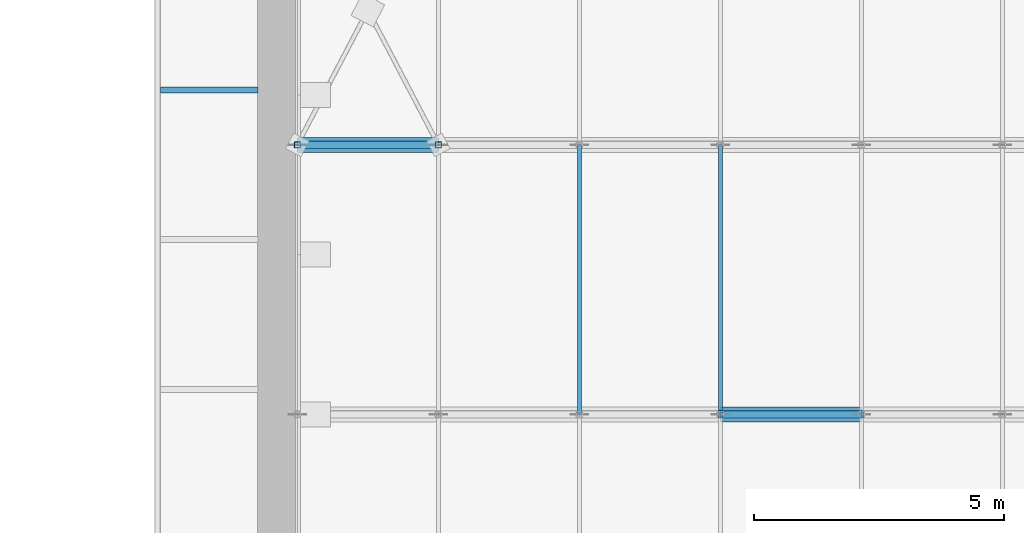
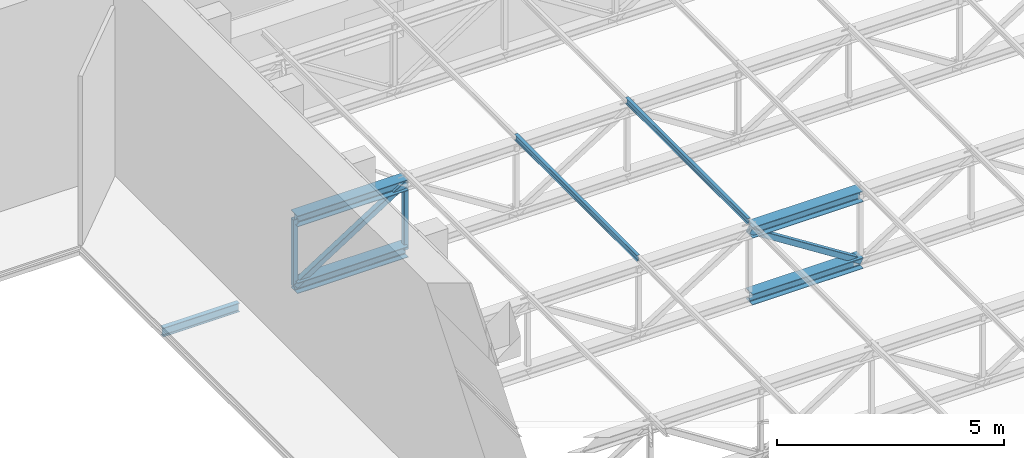
# One storey, part 40 of 132: 11 members.
"""IFC4 building model written with IfcOpenShell, lengths in metres."""

from ifc_helpers import new_model, si_unit, direction, frame, origin, origin_2d, place, context, subcontext, project, spatial, hollow_rectangle, i_section, extrude, material, material_profile, profile_set, type_object, element, save


model = new_model("IFC4")

# Units and contexts
model_context = context("Model", 3, precision=1e-05, world=origin(), true_north=direction((0.0, 1.0)))
body_context = subcontext(model_context, "Body", "Model", "MODEL_VIEW")
ifc_project = project(units=[si_unit("LENGTHUNIT", "METRE"), si_unit("AREAUNIT", "SQUARE_METRE"), si_unit("VOLUMEUNIT", "CUBIC_METRE"), si_unit("PLANEANGLEUNIT", "RADIAN"), si_unit("MASSUNIT", "GRAM", prefix="KILO")], contexts=[model_context])

# Site, building, storey
site_placement = place(None, origin())
site = spatial("IfcSite", under=ifc_project, at=site_placement, CompositionType="ELEMENT")
building_placement = place(site_placement, origin())
building = spatial("IfcBuilding", under=site, at=building_placement, Name="Lunette Opera House", CompositionType="ELEMENT")
storey_placement = place(building_placement, frame((0.0, 0.0, 17.0)))
storey = spatial("IfcBuildingStorey", under=building, at=storey_placement, Name="L03", CompositionType="ELEMENT", Elevation=17.0)

# Members
ifc_material_1 = material(Name="Steel S355", Category="steel")
ifc_material_profile_1 = material_profile(ifc_material_1, i_section(OverallWidth=0.1201171875, OverallDepth=0.239990234375, WebThickness=0.006103515625, FlangeThickness=0.009765625, FilletRadius=0.014892578125, at=origin_2d()), Name="IPE 240")
ifc_profile_set_1 = profile_set([ifc_material_profile_1], Name="Steel S355")
member_type_1 = type_object("IfcMemberType", Name="BRACKET IPE 240", PredefinedType="MEMBER", material=ifc_profile_set_1)
member_1_placement = place(storey_placement, frame((108.010009765625, 114.5, -0.179931640625), z_axis=(-1.0, 0.0, 0.0), x_axis=(0.0, -1.0, 0.0)))
element("IfcMember", 1, at=member_1_placement, inside=storey, type_object=member_type_1, Name="mem-ST-L03-FG2-BKE1080-1145", PredefinedType="MEMBER", context=body_context, shape_type="SweptSolid", body=[
    extrude(i_section(OverallWidth=0.1201171875, OverallDepth=0.239990234375, WebThickness=0.006103515625, FlangeThickness=0.009765625, FilletRadius=0.014892578125, at=origin_2d()), origin(), (0.0, 0.0, 1.0), 1.949951171875),
])
ifc_material_2 = material(Name="Steel S355", Category="steel")
ifc_material_profile_2 = material_profile(ifc_material_2, i_section(OverallWidth=0.300048828125, OverallDepth=0.2900390625, WebThickness=0.008544921875, FlangeThickness=0.013916015625, FilletRadius=0.027099609375, at=origin_2d()), Name="HEA 300")
ifc_profile_set_2 = profile_set([ifc_material_profile_2], Name="Steel S355")
member_type_2 = type_object("IfcMemberType", Name="CHORD HEA 300", PredefinedType="CHORD", material=ifc_profile_set_2)
for number, where, z_axis, x_axis, name in (
    (2, (117.27490234375, 108.0, 2.574951171875), (1.0, 0.0, 0.0), (0.0, 1.0, 0.0), "mem-ST-L03-SE-TR03-TC4"),
    (3, (117.27490234375, 108.0, 0.77490234375), (1.0, 0.0, 0.0), (0.0, 1.0, 0.0), "mem-ST-L03-SE-TR03-BC4"),
):
    element("IfcMember", number, at=place(storey_placement, frame(where, z_axis=z_axis, x_axis=x_axis)), inside=storey, type_object=member_type_2, Name=name, PredefinedType="CHORD", context=body_context, shape_type="SweptSolid", body=[
        extrude(i_section(OverallWidth=0.300048828125, OverallDepth=0.2900390625, WebThickness=0.008544921875, FlangeThickness=0.013916015625, FilletRadius=0.027099609375, at=origin_2d()), origin(), (0.0, 0.0, 1.0), 2.8251953125),
    ])
for number, where, z_axis, x_axis, name in (
    (4, (108.800048828125, 113.39990234375, 2.574951171875), (1.0, 0.0, 0.0), (0.0, 1.0, 0.0), "mem-ST-L03-SE-TR04-TC1"),
    (5, (108.800048828125, 113.39990234375, 0.77490234375), (1.0, 0.0, 0.0), (0.0, 1.0, 0.0), "mem-ST-L03-SE-TR04-BC1"),
):
    element("IfcMember", number, at=place(storey_placement, frame(where, z_axis=z_axis, x_axis=x_axis)), inside=storey, type_object=member_type_2, Name=name, PredefinedType="CHORD", context=body_context, shape_type="SweptSolid", body=[
        extrude(i_section(OverallWidth=0.300048828125, OverallDepth=0.2900390625, WebThickness=0.008544921875, FlangeThickness=0.013916015625, FilletRadius=0.027099609375, at=origin_2d()), origin(), (0.0, 0.0, 1.0), 2.824951171875),
    ])
ifc_material_3 = material(Name="Steel S355", Category="steel")
ifc_material_profile_3 = material_profile(ifc_material_3, hollow_rectangle(XDim=0.14990234375, YDim=0.14990234375, WallThickness=0.006103515625, InnerFilletRadius=0.006103515625, OuterFilletRadius=0.011962890625, at=origin_2d()), Name="RHS 150X150X6")
ifc_profile_set_3 = profile_set([ifc_material_profile_3], Name="Steel S355")
member_type_3 = type_object("IfcMemberType", Name="DIAGONAL RHS 150X150X6", PredefinedType="BRACE", material=ifc_profile_set_3)
member_2_placement = place(storey_placement, frame((117.27490234375, 108.0, 2.574951171875), z_axis=(0.843364266472, 0.0, -0.537342268985), x_axis=(0.0, 1.0, 0.0)))
element("IfcMember", 6, at=member_2_placement, inside=storey, type_object=member_type_3, Name="mem-ST-L03-SE-TR03-TD4", PredefinedType="BRACE", context=body_context, shape_type="SweptSolid", body=[
    extrude(hollow_rectangle(XDim=0.14990234375, YDim=0.14990234375, WallThickness=0.006103515625, InnerFilletRadius=0.006103515625, OuterFilletRadius=0.011962890625, at=origin_2d()), origin(), (0.0, 0.0, 1.0), 3.349853515625),
])
member_3_placement = place(storey_placement, frame((108.800048828125, 113.39990234375, 0.77490234375), z_axis=(0.843343221477, 0.0, 0.537375297896), x_axis=(0.0, 1.0, 0.0)))
element("IfcMember", 7, at=member_3_placement, inside=storey, type_object=member_type_3, Name="mem-ST-L03-SE-TR04-TD1", PredefinedType="BRACE", context=body_context, shape_type="SweptSolid", body=[
    extrude(hollow_rectangle(XDim=0.14990234375, YDim=0.14990234375, WallThickness=0.006103515625, InnerFilletRadius=0.006103515625, OuterFilletRadius=0.011962890625, at=origin_2d()), origin(), (0.0, 0.0, 1.0), 3.349609375),
])
ifc_material_4 = material(Name="Steel S355", Category="steel")
ifc_material_profile_4 = material_profile(ifc_material_4, i_section(OverallWidth=0.08203125, OverallDepth=0.159912109375, WebThickness=0.0048828125, FlangeThickness=0.00732421875, FilletRadius=0.009033203125, at=origin_2d()), Name="IPE 160")
ifc_profile_set_4 = profile_set([ifc_material_profile_4], Name="Steel S355")
member_type_4 = type_object("IfcMemberType", Name="PURLIN IPE 160", PredefinedType="PURLIN", material=ifc_profile_set_4)
for number, where, z_axis, x_axis, name in (
    (8, (114.449951171875, 108.0, 2.800048828125), (0.0, 1.0, 0.0), (-1.0, 0.0, 0.0), "mem-ST-L03-SE-TR-PU3-4"),
    (9, (117.27490234375, 108.0, 2.800048828125), (0.0, 1.0, 0.0), (-1.0, 0.0, 0.0), "mem-ST-L03-SE-TR-PU4-4"),
):
    element("IfcMember", number, at=place(storey_placement, frame(where, z_axis=z_axis, x_axis=x_axis)), inside=storey, type_object=member_type_4, Name=name, PredefinedType="PURLIN", context=body_context, shape_type="SweptSolid", body=[
        extrude(i_section(OverallWidth=0.08203125, OverallDepth=0.159912109375, WebThickness=0.0048828125, FlangeThickness=0.00732421875, FilletRadius=0.009033203125, at=origin_2d()), origin(), (0.0, 0.0, 1.0), 5.39990234375),
    ])
ifc_material_5 = material(Name="Steel S355", Category="steel")
ifc_material_profile_5 = material_profile(ifc_material_5, hollow_rectangle(XDim=0.1201171875, YDim=0.1201171875, WallThickness=0.0048828125, InnerFilletRadius=0.0048828125, OuterFilletRadius=0.010009765625, at=origin_2d()), Name="RHS 120X120X5")
ifc_profile_set_5 = profile_set([ifc_material_profile_5], Name="Steel S355")
member_type_5 = type_object("IfcMemberType", Name="VERTICAL RHS 120X120X5", PredefinedType="POST", material=ifc_profile_set_5)
for number, where, z_axis, x_axis, name in (
    (10, (108.800048828125, 113.39990234375, 0.77490234375), (0.0, 0.0, 1.0), (1.0, 0.0, 0.0), "mem-ST-L03-SE-TR04-TV1"),
    (11, (111.625, 113.39990234375, 0.77490234375), (0.0, 0.0, 1.0), (1.0, 0.0, 0.0), "mem-ST-L03-SE-TR04-TV2"),
):
    element("IfcMember", number, at=place(storey_placement, frame(where, z_axis=z_axis, x_axis=x_axis)), inside=storey, type_object=member_type_5, Name=name, PredefinedType="POST", context=body_context, shape_type="SweptSolid", body=[
        extrude(hollow_rectangle(XDim=0.1201171875, YDim=0.1201171875, WallThickness=0.0048828125, InnerFilletRadius=0.0048828125, OuterFilletRadius=0.010009765625, at=origin_2d()), origin(), (0.0, 0.0, 1.0), 1.800048828125),
    ])

save(model, "model.ifc")
